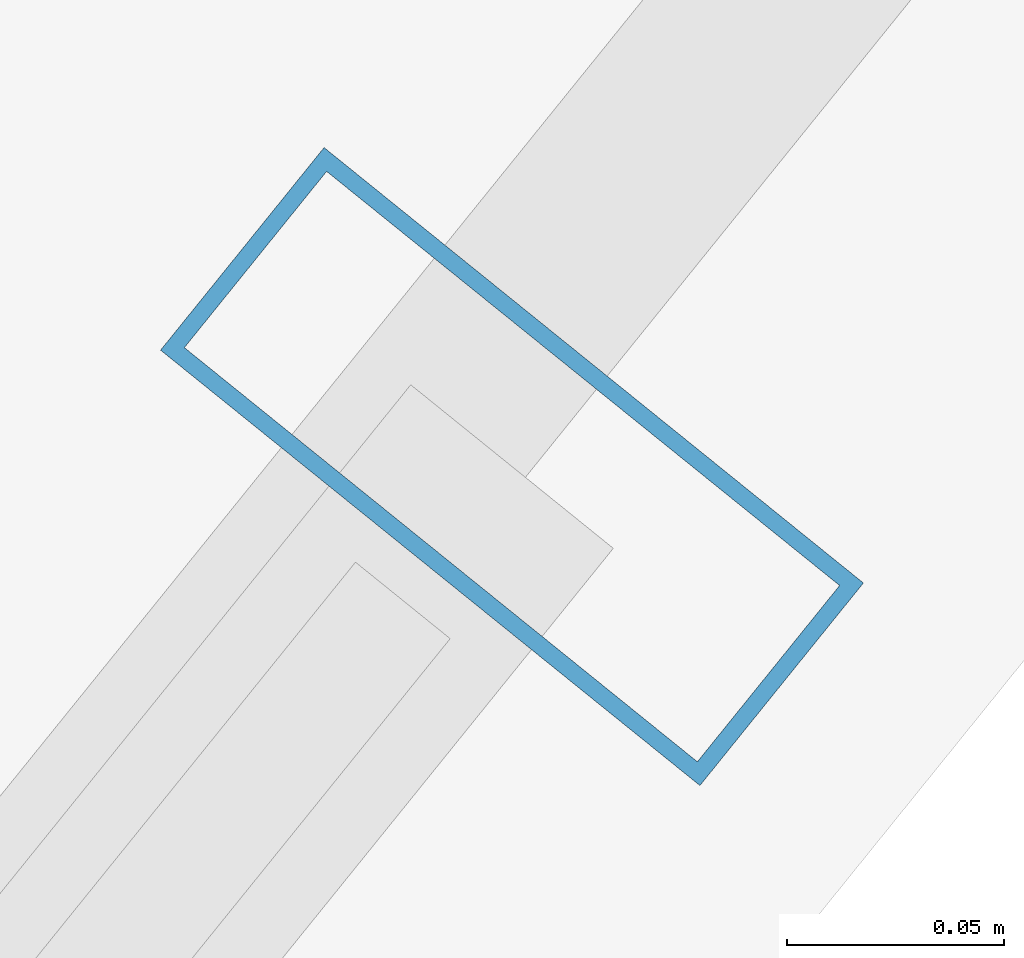
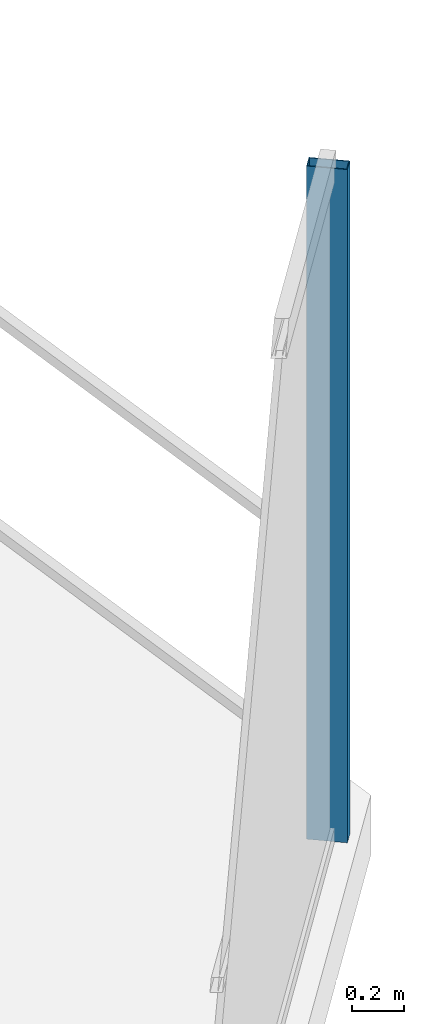
# One storey, part 15 of 32: 1 member, 1 element without a shape of its own.
"""IFC4 building model written with IfcOpenShell, lengths in metres."""

from ifc_helpers import new_model, si_unit, direction, frame, origin, origin_2d, place, context, subcontext, project, spatial, hollow_rectangle, extrude, material, layer, layer_set, material_profile, profile_set, type_object, element, aggregate, save


model = new_model("IFC4")

# Units and contexts
model_context = context("Model", 3, precision=1e-05, world=origin(), true_north=direction((0.0, 1.0)))
body_context = subcontext(model_context, "Body", "Model", "MODEL_VIEW")
ifc_project = project(units=[si_unit("LENGTHUNIT", "METRE"), si_unit("AREAUNIT", "SQUARE_METRE"), si_unit("VOLUMEUNIT", "CUBIC_METRE"), si_unit("PLANEANGLEUNIT", "RADIAN"), si_unit("MASSUNIT", "GRAM", prefix="KILO")], contexts=[model_context])

# Site, building, storey
site_placement = place(None, origin())
site = spatial("IfcSite", under=ifc_project, at=site_placement, CompositionType="ELEMENT")
building_placement = place(site_placement, origin())
building = spatial("IfcBuilding", under=site, at=building_placement, Name="Qarnah Convention Tower", CompositionType="ELEMENT")
storey_placement = place(building_placement, frame((0.0, 0.0, 37.35009765625)))
storey = spatial("IfcBuildingStorey", under=building, at=storey_placement, Name="L08", CompositionType="ELEMENT", Elevation=37.35009765625)

# Curtain wall, member
ifc_material_1 = material(Name="Tempered Low-E dark glass", Category="glass")
ifc_layer = layer(ifc_material_1, 0.16796875)
ifc_layer_set = layer_set([ifc_layer], Name="Tempered Low-E dark glass")
curtain_wall_type = type_object("IfcCurtainWallType", Name="CWS-01", PredefinedType="NOTDEFINED", material=ifc_layer_set)
curtain_wall_placement = place(storey_placement, origin())
curtain_wall = element("IfcCurtainWall", 1, at=curtain_wall_placement, inside=storey, type_object=curtain_wall_type, Name="L08 unitised curtain wall CW-L08-F3", PredefinedType="NOTDEFINED")
ifc_material_2 = material(Name="Black anodised aluminium", Category="aluminium")
ifc_material_profile = material_profile(ifc_material_2, hollow_rectangle(XDim=0.06005859375, YDim=0.159912109375, WallThickness=0.00390625, at=origin_2d()), Name="MUL-60X160")
ifc_profile_set = profile_set([ifc_material_profile], Name="Black anodised aluminium")
member_type = type_object("IfcMemberType", Name="MUL-T1", PredefinedType="MULLION", material=ifc_profile_set)
member_placement = place(storey_placement, frame((64.427001953125, 28.087890625, 0.0), z_axis=(0.0, 0.0, 1.0), x_axis=(-0.628142905709, -0.778097995119, 0.0)))
member = element("IfcMember", 2, at=member_placement, type_object=member_type, Name="CW-L08-F3 mullion 1", PredefinedType="MULLION", context=body_context, shape_type="SweptSolid", body=[
    extrude(hollow_rectangle(XDim=0.06005859375, YDim=0.159912109375, WallThickness=0.00390625, at=origin_2d()), origin(), (0.0, 0.0, 1.0), 3.169921875),
])
aggregate(curtain_wall, [member])

save(model, "model.ifc")
